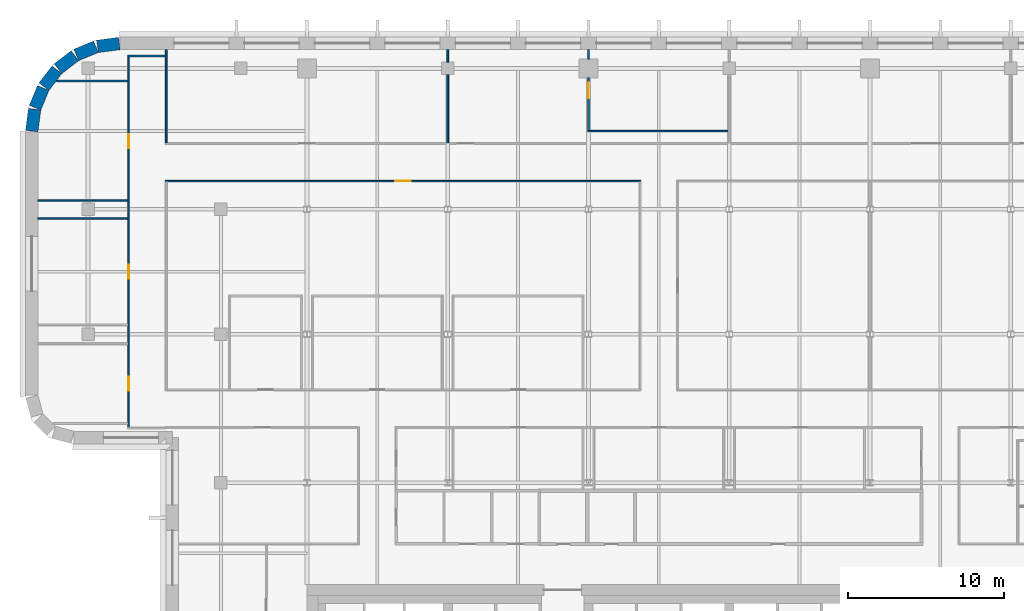
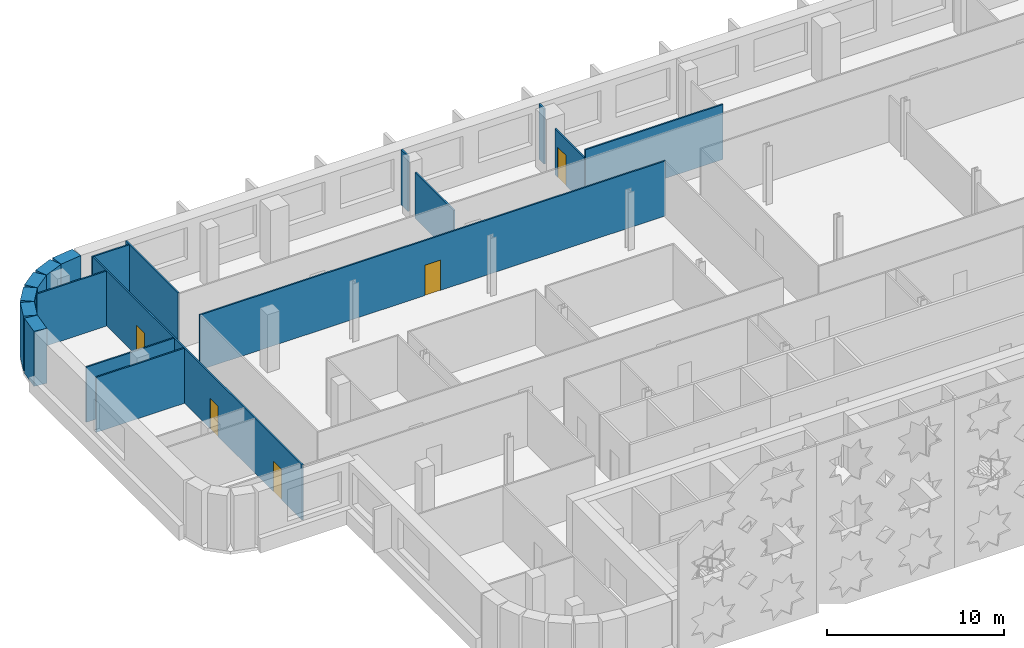
# One storey, part 10 of 18: 18 walls, 5 doors, 5 openings.
"""IFC4 building model written with IfcOpenShell, lengths in metres."""

from ifc_helpers import new_model, si_unit, direction, frame, frame_2d, origin, place, context, subcontext, project, spatial, rectangle, extrude, material, layer, layer_set, type_object, element, fill, save


model = new_model("IFC4")

# Units and contexts
model_context = context("Model", 3, precision=1e-05, world=origin(), true_north=direction((0.0, 1.0)))
body_context = subcontext(model_context, "Body", "Model", "MODEL_VIEW")
ifc_project = project(units=[si_unit("LENGTHUNIT", "METRE"), si_unit("AREAUNIT", "SQUARE_METRE"), si_unit("VOLUMEUNIT", "CUBIC_METRE"), si_unit("PLANEANGLEUNIT", "RADIAN"), si_unit("MASSUNIT", "GRAM", prefix="KILO")], contexts=[model_context])

# Site, building, storey
site_placement = place(None, origin())
site = spatial("IfcSite", under=ifc_project, at=site_placement, CompositionType="ELEMENT")
building_placement = place(site_placement, origin())
building = spatial("IfcBuilding", under=site, at=building_placement, Name="Zellij Exchange Tower", CompositionType="ELEMENT")
storey_placement = place(building_placement, frame((0.0, 0.0, 228.5)))
storey = spatial("IfcBuildingStorey", under=building, at=storey_placement, Name="L53", CompositionType="ELEMENT", Elevation=228.5)

# Walls
ifc_material_1 = material(Name="Precast concrete C40/50", Category="concrete")
ifc_layer_1 = layer(ifc_material_1, 0.800048828125)
ifc_layer_set_1 = layer_set([ifc_layer_1], Name="Precast concrete C40/50")
wall_type_1 = type_object("IfcWallType", Name="ENV-EW1 Precast stone-piered wall 800", PredefinedType="SOLIDWALL", material=ifc_layer_set_1)
wall_1_placement = place(storey_placement, frame((-38.999755859375, 32.5966796875, 0.0), z_axis=(0.0, 0.0, 1.0), x_axis=(-0.99144603414, -0.130517283865, 0.0)))
element("IfcWall", 1, at=wall_1_placement, inside=storey, type_object=wall_type_1, Name="fac.L53.15", PredefinedType="SOLIDWALL", context=body_context, shape_type="SweptSolid", body=[
    extrude(rectangle(XDim=1.408447265625, YDim=0.800048828125, at=frame_2d((0.7041015625, 0.0))), origin(), (0.0, 0.0, 1.0), 3.800048828125),
])
wall_2_placement = place(storey_placement, frame((-40.497314453125, 32.3857421875, 0.0), z_axis=(0.0, 0.0, 1.0), x_axis=(-0.923847774587, -0.38276009378, 0.0)))
element("IfcWall", 2, at=wall_2_placement, inside=storey, type_object=wall_type_1, Name="fac.L53.16", PredefinedType="SOLIDWALL", context=body_context, shape_type="SweptSolid", body=[
    extrude(rectangle(XDim=1.35546875, YDim=0.800048828125, at=frame_2d((0.677734375, 0.0))), origin(), (0.0, 0.0, 1.0), 3.800048828125),
])
for number, where, z_axis, x_axis, name in (
    (3, (-41.840087890625, 31.814697265625, 0.0), (0.0, 0.0, 1.0), (-0.793272915452, -0.608866226366, 0.0), "fac.L53.17"),
    (4, (-42.9892578125, 30.91552734375, 0.0), (0.0, 0.0, 1.0), (-0.608866226366, -0.793272915452, 0.0), "fac.L53.18"),
):
    element("IfcWall", number, at=place(storey_placement, frame(where, z_axis=z_axis, x_axis=x_axis)), inside=storey, type_object=wall_type_1, Name=name, PredefinedType="SOLIDWALL", context=body_context, shape_type="SweptSolid", body=[
        extrude(rectangle(XDim=1.355712890625, YDim=0.800048828125, at=frame_2d((0.677734375, 0.0))), origin(), (0.0, 0.0, 1.0), 3.800048828125),
    ])
wall_3_placement = place(storey_placement, frame((-43.866943359375, 29.74951171875, 0.0), z_axis=(0.0, 0.0, 1.0), x_axis=(-0.38276009378, -0.923847774587, 0.0)))
element("IfcWall", 5, at=wall_3_placement, inside=storey, type_object=wall_type_1, Name="fac.L53.19", PredefinedType="SOLIDWALL", context=body_context, shape_type="SweptSolid", body=[
    extrude(rectangle(XDim=1.35546875, YDim=0.800048828125, at=frame_2d((0.677734375, 0.0))), origin(), (0.0, 0.0, 1.0), 3.800048828125),
])
wall_4_placement = place(storey_placement, frame((-44.412841796875, 28.396240234375, 0.0), z_axis=(0.0, 0.0, 1.0), x_axis=(-0.130517283865, -0.99144603414, 0.0)))
element("IfcWall", 6, at=wall_4_placement, inside=storey, type_object=wall_type_1, Name="fac.L53.20", PredefinedType="SOLIDWALL", context=body_context, shape_type="SweptSolid", body=[
    extrude(rectangle(XDim=1.408447265625, YDim=0.800048828125, at=frame_2d((0.7041015625, 0.0))), origin(), (0.0, 0.0, 1.0), 3.800048828125),
])

# Wall, openings, doors
ifc_material_2 = material(Name="Gypsum board partition on steel studs", Category="steel")
ifc_layer_2 = layer(ifc_material_2, 0.10009765625)
ifc_layer_set_2 = layer_set([ifc_layer_2], Name="Gypsum board partition on steel studs")
wall_type_2 = type_object("IfcWallType", Name="FIT-PARTITION-100", PredefinedType="PARTITIONING", material=ifc_layer_set_2)
wall_5_placement = place(storey_placement, frame((-38.39990234375, 8.050048828125, 0.0), z_axis=(0.0, 0.0, 1.0), x_axis=(0.0, 1.0, 0.0)))
wall_5 = element("IfcWall", 7, at=wall_5_placement, inside=storey, type_object=wall_type_2, Name="FIT-PARTITION-100 034", PredefinedType="PARTITIONING", context=body_context, shape_type="SweptSolid", body=[
    extrude(rectangle(XDim=23.699951171875, YDim=0.10009765625, at=frame_2d((11.85009765625, 0.0))), origin(), (0.0, 0.0, 1.0), 3.800048828125),
])
opening_1_placement = place(wall_5_placement, frame((2.35009765625, 0.0, 0.0)))
opening_1 = element("IfcOpeningElement", 8, at=opening_1_placement, cuts=wall_5, Name="Opening O4B.23", PredefinedType="OPENING", context=body_context, shape_type="SweptSolid", body=[
    extrude(rectangle(XDim=0.89990234375, YDim=2.10009765625, at=frame_2d((0.449951171875, 1.050048828125))), frame((0.0, 0.06201171875, 0.0), z_axis=(0.0, -1.0, 0.0), x_axis=(1.0, 0.0, 0.0)), (0.0, 0.0, 1.0), 0.1240234375),
])
opening_2_placement = place(wall_5_placement, frame((9.5, 0.0, 0.0)))
opening_2 = element("IfcOpeningElement", 9, at=opening_2_placement, cuts=wall_5, Name="Opening O4B.27", PredefinedType="OPENING", context=body_context, shape_type="SweptSolid", body=[
    extrude(rectangle(XDim=0.89990234375, YDim=2.10009765625, at=frame_2d((0.449951171875, 1.050048828125))), frame((0.0, 0.06201171875, 0.0), z_axis=(0.0, -1.0, 0.0), x_axis=(1.0, 0.0, 0.0)), (0.0, 0.0, 1.0), 0.1240234375),
])
opening_3_placement = place(wall_5_placement, frame((17.85009765625, 0.0, 0.0)))
opening_3 = element("IfcOpeningElement", 10, at=opening_3_placement, cuts=wall_5, Name="Opening O4B.33", PredefinedType="OPENING", context=body_context, shape_type="SweptSolid", body=[
    extrude(rectangle(XDim=0.89990234375, YDim=2.10009765625, at=frame_2d((0.449951171875, 1.050048828125))), frame((0.0, 0.06201171875, 0.0), z_axis=(0.0, -1.0, 0.0), x_axis=(1.0, 0.0, 0.0)), (0.0, 0.0, 1.0), 0.1240234375),
])
ifc_material_3 = material(Name="Timber door set", Category="wood")
door_type_1 = type_object("IfcDoorType", Name="FIT-D1-ROOM-900X2100", OperationType="SINGLE_SWING_LEFT", PredefinedType="DOOR", material=ifc_material_3)
door_1_placement = place(opening_1_placement, origin())
door_1 = element("IfcDoor", 11, at=door_1_placement, inside=storey, type_object=door_type_1, Name="Door O4B.23", OperationType="SINGLE_SWING_RIGHT", OverallHeight=2.10009765625, OverallWidth=0.89990234375, PredefinedType="DOOR", context=body_context, shape_type="SweptSolid", body=[
    extrude(rectangle(XDim=0.89990234375, YDim=2.10009765625, at=frame_2d((0.449951171875, 1.050048828125))), frame((0.0, 0.02490234375, 0.0), z_axis=(0.0, -1.0, 0.0), x_axis=(1.0, 0.0, 0.0)), (0.0, 0.0, 1.0), 0.050048828125),
])
fill(opening_1, door_1)
door_2_placement = place(opening_2_placement, origin())
door_2 = element("IfcDoor", 12, at=door_2_placement, inside=storey, type_object=door_type_1, Name="Door O4B.27", OperationType="SINGLE_SWING_LEFT", OverallHeight=2.10009765625, OverallWidth=0.89990234375, PredefinedType="DOOR", context=body_context, shape_type="SweptSolid", body=[
    extrude(rectangle(XDim=0.89990234375, YDim=2.10009765625, at=frame_2d((0.449951171875, 1.050048828125))), frame((0.0, 0.02490234375, 0.0), z_axis=(0.0, -1.0, 0.0), x_axis=(1.0, 0.0, 0.0)), (0.0, 0.0, 1.0), 0.050048828125),
])
fill(opening_2, door_2)
door_3_placement = place(opening_3_placement, origin())
door_3 = element("IfcDoor", 13, at=door_3_placement, inside=storey, type_object=door_type_1, Name="Door O4B.33", OperationType="SINGLE_SWING_RIGHT", OverallHeight=2.10009765625, OverallWidth=0.89990234375, PredefinedType="DOOR", context=body_context, shape_type="SweptSolid", body=[
    extrude(rectangle(XDim=0.89990234375, YDim=2.10009765625, at=frame_2d((0.449951171875, 1.050048828125))), frame((0.0, 0.02490234375, 0.0), z_axis=(0.0, -1.0, 0.0), x_axis=(1.0, 0.0, 0.0)), (0.0, 0.0, 1.0), 0.050048828125),
])
fill(opening_3, door_3)

# Walls
for number, where, z_axis, x_axis, name in (
    (14, (-44.199951171875, 21.39990234375, 0.0), (0.0, 0.0, 1.0), (1.0, 0.0, 0.0), "FIT-PARTITION-100 062"),
    (15, (-44.199951171875, 22.550048828125, 0.0), (0.0, 0.0, 1.0), (1.0, 0.0, 0.0), "FIT-PARTITION-100 063"),
):
    element("IfcWall", number, at=place(storey_placement, frame(where, z_axis=z_axis, x_axis=x_axis)), inside=storey, type_object=wall_type_2, Name=name, PredefinedType="PARTITIONING", context=body_context, shape_type="SweptSolid", body=[
        extrude(rectangle(XDim=5.75, YDim=0.10009765625, at=frame_2d((2.875, 0.0))), origin(), (0.0, 0.0, 1.0), 3.800048828125),
    ])

# Wall, opening, door
wall_6_placement = place(storey_placement, frame((-36.050048828125, 23.800048828125, 0.0), z_axis=(0.0, 0.0, 1.0), x_axis=(1.0, 0.0, 0.0)))
wall_6 = element("IfcWall", 16, at=wall_6_placement, inside=storey, type_object=wall_type_2, Name="FIT-PARTITION-100 064", PredefinedType="PARTITIONING", context=body_context, shape_type="SweptSolid", body=[
    extrude(rectangle(XDim=30.400146484375, YDim=0.10009765625, at=frame_2d((15.2001953125, 0.0))), origin(), (0.0, 0.0, 1.0), 3.800048828125),
])
opening_4_placement = place(wall_6_placement, frame((14.699951171875, 0.0, 0.0)))
opening_4 = element("IfcOpeningElement", 17, at=opening_4_placement, cuts=wall_6, Name="Opening O4B.28", PredefinedType="OPENING", context=body_context, shape_type="SweptSolid", body=[
    extrude(rectangle(XDim=1.0, YDim=2.10009765625, at=frame_2d((0.5, 1.050048828125))), frame((0.0, 0.06201171875, 0.0), z_axis=(0.0, -1.0, 0.0), x_axis=(1.0, 0.0, 0.0)), (0.0, 0.0, 1.0), 0.1240234375),
])
door_type_2 = type_object("IfcDoorType", Name="FIT-D2-WIDE-1000X2100", OperationType="SINGLE_SWING_LEFT", PredefinedType="DOOR", material=ifc_material_3)
door_4_placement = place(opening_4_placement, origin())
door_4 = element("IfcDoor", 18, at=door_4_placement, inside=storey, type_object=door_type_2, Name="Door O4B.28", OperationType="SINGLE_SWING_LEFT", OverallHeight=2.10009765625, OverallWidth=1.0, PredefinedType="DOOR", context=body_context, shape_type="SweptSolid", body=[
    extrude(rectangle(XDim=1.0, YDim=2.10009765625, at=frame_2d((0.5, 1.050048828125))), frame((0.0, 0.02490234375, 0.0), z_axis=(0.0, -1.0, 0.0), x_axis=(1.0, 0.0, 0.0)), (0.0, 0.0, 1.0), 0.050048828125),
])
fill(opening_4, door_4)

# Walls
wall_7_placement = place(storey_placement, frame((-36.0, 26.25, 0.0), z_axis=(0.0, 0.0, 1.0), x_axis=(0.0, 1.0, 0.0)))
element("IfcWall", 19, at=wall_7_placement, inside=storey, type_object=wall_type_2, Name="FIT-PARTITION-100 069", PredefinedType="PARTITIONING", context=body_context, shape_type="SweptSolid", body=[
    extrude(rectangle(XDim=5.949951171875, YDim=0.10009765625, at=frame_2d((2.97509765625, 0.0))), origin(), (0.0, 0.0, 1.0), 3.800048828125),
])
wall_8_placement = place(storey_placement, frame((-18.0, 26.25, 0.0), z_axis=(0.0, 0.0, 1.0), x_axis=(0.0, 1.0, 0.0)))
element("IfcWall", 20, at=wall_8_placement, inside=storey, type_object=wall_type_2, Name="FIT-PARTITION-100 070", PredefinedType="PARTITIONING", context=body_context, shape_type="SweptSolid", body=[
    extrude(rectangle(XDim=4.35009765625, YDim=0.10009765625, at=frame_2d((2.175048828125, 0.0))), origin(), (0.0, 0.0, 1.0), 3.19287109375),
])
wall_9_placement = place(storey_placement, frame((-18.0, 31.39990234375, 0.0), z_axis=(0.0, 0.0, 1.0), x_axis=(0.0, 1.0, 0.0)))
element("IfcWall", 21, at=wall_9_placement, inside=storey, type_object=wall_type_2, Name="FIT-PARTITION-100 071", PredefinedType="PARTITIONING", context=body_context, shape_type="SweptSolid", body=[
    extrude(rectangle(XDim=0.800048828125, YDim=0.10009765625, at=frame_2d((0.39990234375, 0.0))), origin(), (0.0, 0.0, 1.0), 3.800048828125),
])
wall_10_placement = place(storey_placement, frame((-9.050048828125, 27.0, 0.0), z_axis=(0.0, 0.0, 1.0), x_axis=(1.0, 0.0, 0.0)))
element("IfcWall", 22, at=wall_10_placement, inside=storey, type_object=wall_type_2, Name="FIT-PARTITION-100 076", PredefinedType="PARTITIONING", context=body_context, shape_type="SweptSolid", body=[
    extrude(rectangle(XDim=9.0, YDim=0.10009765625, at=frame_2d((4.5, 0.0))), origin(), (0.0, 0.0, 1.0), 3.800048828125),
])

# Wall, opening, door
wall_11_placement = place(storey_placement, frame((-9.0, 27.050048828125, 0.0), z_axis=(0.0, 0.0, 1.0), x_axis=(0.0, 1.0, 0.0)))
wall_11 = element("IfcWall", 23, at=wall_11_placement, inside=storey, type_object=wall_type_2, Name="FIT-PARTITION-100 077", PredefinedType="PARTITIONING", context=body_context, shape_type="SweptSolid", body=[
    extrude(rectangle(XDim=3.349853515625, YDim=0.10009765625, at=frame_2d((1.6748046875, 0.0))), origin(), (0.0, 0.0, 1.0), 3.19287109375),
])
opening_5_placement = place(wall_11_placement, frame((2.050048828125, 0.0, 0.0)))
opening_5 = element("IfcOpeningElement", 24, at=opening_5_placement, cuts=wall_11, Name="Opening O4B.34", PredefinedType="OPENING", context=body_context, shape_type="SweptSolid", body=[
    extrude(rectangle(XDim=1.0, YDim=2.10009765625, at=frame_2d((0.5, 1.050048828125))), frame((0.0, 0.06201171875, 0.0), z_axis=(0.0, -1.0, 0.0), x_axis=(1.0, 0.0, 0.0)), (0.0, 0.0, 1.0), 0.1240234375),
])
door_5_placement = place(opening_5_placement, origin())
door_5 = element("IfcDoor", 25, at=door_5_placement, inside=storey, type_object=door_type_2, Name="Door O4B.34", OperationType="SINGLE_SWING_LEFT", OverallHeight=2.10009765625, OverallWidth=1.0, PredefinedType="DOOR", context=body_context, shape_type="SweptSolid", body=[
    extrude(rectangle(XDim=1.0, YDim=2.10009765625, at=frame_2d((0.5, 1.050048828125))), frame((0.0, 0.02490234375, 0.0), z_axis=(0.0, -1.0, 0.0), x_axis=(1.0, 0.0, 0.0)), (0.0, 0.0, 1.0), 0.050048828125),
])
fill(opening_5, door_5)

# Walls
wall_12_placement = place(storey_placement, frame((-9.0, 31.60009765625, 0.0), z_axis=(0.0, 0.0, 1.0), x_axis=(0.0, 1.0, 0.0)))
element("IfcWall", 26, at=wall_12_placement, inside=storey, type_object=wall_type_2, Name="FIT-PARTITION-100 078", PredefinedType="PARTITIONING", context=body_context, shape_type="SweptSolid", body=[
    extrude(rectangle(XDim=0.599853515625, YDim=0.10009765625, at=frame_2d((0.2998046875, 0.0))), origin(), (0.0, 0.0, 1.0), 3.800048828125),
])
wall_13_placement = place(storey_placement, frame((-43.0, 30.199951171875, 0.0), z_axis=(0.0, 0.0, 1.0), x_axis=(1.0, 0.0, 0.0)))
element("IfcWall", 27, at=wall_13_placement, inside=storey, type_object=wall_type_2, Name="FIT-PARTITION-100 079", PredefinedType="PARTITIONING", context=body_context, shape_type="SweptSolid", body=[
    extrude(rectangle(XDim=4.550048828125, YDim=0.10009765625, at=frame_2d((2.27490234375, 0.0))), origin(), (0.0, 0.0, 1.0), 3.800048828125),
])
wall_14_placement = place(storey_placement, frame((-38.449951171875, 31.800048828125, 0.0), z_axis=(0.0, 0.0, 1.0), x_axis=(1.0, 0.0, 0.0)))
element("IfcWall", 28, at=wall_14_placement, inside=storey, type_object=wall_type_2, Name="FIT-PARTITION-100 080", PredefinedType="PARTITIONING", context=body_context, shape_type="SweptSolid", body=[
    extrude(rectangle(XDim=2.39990234375, YDim=0.10009765625, at=frame_2d((1.199951171875, 0.0))), origin(), (0.0, 0.0, 1.0), 3.800048828125),
])

save(model, "model.ifc")
